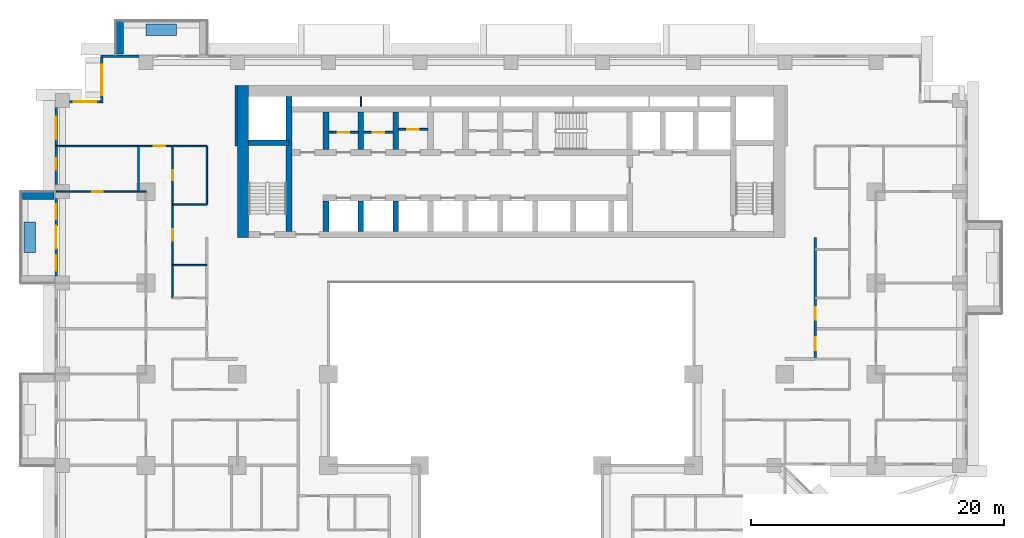
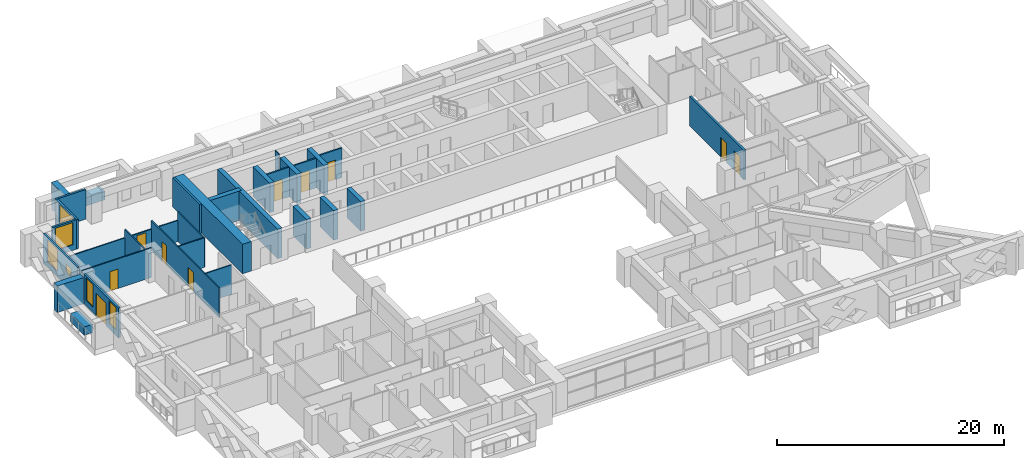
# One storey, part 9 of 17: 31 walls, 10 doors, 6 windows, 16 openings.
"""IFC4 building model written with IfcOpenShell, lengths in metres."""

from ifc_helpers import new_model, si_unit, direction, frame, frame_2d, origin, place, context, subcontext, project, spatial, rectangle, extrude, material, layer, layer_set, type_object, element, fill, save


model = new_model("IFC4")

# Units and contexts
model_context = context("Model", 3, precision=1e-05, world=origin(), true_north=direction((0.0, 1.0)))
body_context = subcontext(model_context, "Body", "Model", "MODEL_VIEW")
ifc_project = project(units=[si_unit("LENGTHUNIT", "METRE"), si_unit("AREAUNIT", "SQUARE_METRE"), si_unit("VOLUMEUNIT", "CUBIC_METRE"), si_unit("PLANEANGLEUNIT", "RADIAN"), si_unit("MASSUNIT", "GRAM", prefix="KILO")], contexts=[model_context])

# Site, building, storey
site_placement = place(None, origin())
site = spatial("IfcSite", under=ifc_project, at=site_placement, CompositionType="ELEMENT")
building_placement = place(site_placement, origin())
building = spatial("IfcBuilding", under=site, at=building_placement, Name="Saffron Iwan Residences", CompositionType="ELEMENT")
storey_placement = place(building_placement, frame((0.0, 0.0, 58.5)))
storey = spatial("IfcBuildingStorey", under=building, at=storey_placement, Name="L14", CompositionType="ELEMENT", Elevation=58.5)

# Walls
ifc_material_1 = material(Name="Concrete C50/60 white painted", Category="concrete")
ifc_layer_1 = layer(ifc_material_1, 0.60009765625)
ifc_layer_set_1 = layer_set([ifc_layer_1], Name="Concrete C50/60 white painted")
wall_type_1 = type_object("IfcWallType", Name="BALCONY FIN 600", PredefinedType="SOLIDWALL", material=ifc_layer_set_1)
for number, where, z_axis, x_axis, name in (
    (1, (19.5, 80.449951171875, 0.0), (0.0, 0.0, 1.0), (0.0, 1.0, 0.0), "Balcony fin L14 F5-3b"),
    (2, (14.35009765625, 69.300048828125, 0.0), (0.0, 0.0, 1.0), (-1.0, 0.0, 0.0), "Balcony fin L14 F8-0a"),
):
    element("IfcWall", number, at=place(storey_placement, frame(where, z_axis=z_axis, x_axis=x_axis)), inside=storey, type_object=wall_type_1, Name=name, PredefinedType="SOLIDWALL", context=body_context, shape_type="SweptSolid", body=[
        extrude(rectangle(XDim=2.650146484375, YDim=0.60009765625, at=frame_2d((1.3251953125, 0.0))), origin(), (0.0, 0.0, 1.0), 2.85009765625),
    ])
ifc_material_2 = material(Name="Concrete C35/45 white painted", Category="concrete")
ifc_layer_2 = layer(ifc_material_2, 0.14990234375)
ifc_layer_set_2 = layer_set([ifc_layer_2], Name="Concrete C35/45 white painted")
wall_type_2 = type_object("IfcWallType", Name="BALCONY PLANTER", PredefinedType="SOLIDWALL", material=ifc_layer_set_2)
for number, where, z_axis, x_axis, name in (
    (3, (24.0, 82.375, 0.0), (0.0, 0.0, 1.0), (-1.0, 0.0, 0.0), "PLANTER L14 F5-3"),
    (4, (12.425048828125, 67.199951171875, 0.0), (0.0, 0.0, 1.0), (0.0, -1.0, 0.0), "PLANTER L14 F8-0"),
):
    element("IfcWall", number, at=place(storey_placement, frame(where, z_axis=z_axis, x_axis=x_axis)), inside=storey, type_object=wall_type_2, Name=name, PredefinedType="SOLIDWALL", context=body_context, shape_type="SweptSolid", body=[
        extrude(rectangle(XDim=2.39990234375, YDim=0.89990234375, at=frame_2d((1.199951171875, 0.0))), origin(), (0.0, 0.0, 1.0), 0.89990234375),
    ])

# Wall, opening, door
ifc_material_3 = material(Name="Fire-rated plasterboard partition")
ifc_layer_3 = layer(ifc_material_3, 0.14990234375)
ifc_layer_set_3 = layer_set([ifc_layer_3], Name="Fire-rated plasterboard partition")
wall_type_3 = type_object("IfcWallType", Name="Core partition 150", PredefinedType="PARTITIONING", material=ifc_layer_set_3)
wall_1_placement = place(storey_placement, frame((36.02490234375, 74.281982421875, 0.0), z_axis=(0.0, 0.0, 1.0), x_axis=(1.0, 0.0, 0.0)))
wall_1 = element("IfcWall", 5, at=wall_1_placement, inside=storey, type_object=wall_type_3, Name="Core partition P01", PredefinedType="PARTITIONING", context=body_context, shape_type="SweptSolid", body=[
    extrude(rectangle(XDim=2.300048828125, YDim=0.14990234375, at=frame_2d((1.14990234375, 0.0))), origin(), (0.0, 0.0, 1.0), 3.179931640625),
])
opening_1_placement = place(wall_1_placement, frame((0.699951171875, 0.0, 0.0)))
opening_1 = element("IfcOpeningElement", 6, at=opening_1_placement, cuts=wall_1, Name="Opening SB", PredefinedType="OPENING", context=body_context, shape_type="SweptSolid", body=[
    extrude(rectangle(XDim=0.89990234375, YDim=2.10009765625, at=frame_2d((0.449951171875, 1.050048828125))), frame((0.0, 0.0849609375, 0.0), z_axis=(0.0, -1.0, 0.0), x_axis=(1.0, 0.0, 0.0)), (0.0, 0.0, 1.0), 0.169921875),
])
ifc_material_4 = material(Name="Steel fire door", Category="steel")
door_type_1 = type_object("IfcDoorType", Name="Store door 900", OperationType="NOTDEFINED", PredefinedType="DOOR", material=ifc_material_4)
door_1_placement = place(opening_1_placement, origin())
door_1 = element("IfcDoor", 7, at=door_1_placement, inside=storey, type_object=door_type_1, Name="Door Tool store", OperationType="SINGLE_SWING_LEFT", OverallHeight=2.10009765625, OverallWidth=0.89990234375, PredefinedType="DOOR", context=body_context, shape_type="SweptSolid", body=[
    extrude(rectangle(XDim=0.89990234375, YDim=2.10009765625, at=frame_2d((0.449951171875, 1.050048828125))), frame((0.0, 0.02490234375, 0.0), z_axis=(0.0, -1.0, 0.0), x_axis=(1.0, 0.0, 0.0)), (0.0, 0.0, 1.0), 0.050048828125),
])
fill(opening_1, door_1)

wall_2_placement = place(storey_placement, frame((38.77490234375, 74.281982421875, 0.0), z_axis=(0.0, 0.0, 1.0), x_axis=(1.0, 0.0, 0.0)))
wall_2 = element("IfcWall", 8, at=wall_2_placement, inside=storey, type_object=wall_type_3, Name="Core partition P02", PredefinedType="PARTITIONING", context=body_context, shape_type="SweptSolid", body=[
    extrude(rectangle(XDim=2.300048828125, YDim=0.14990234375, at=frame_2d((1.14990234375, 0.0))), origin(), (0.0, 0.0, 1.0), 3.179931640625),
])
opening_2_placement = place(wall_2_placement, frame((0.699951171875, 0.0, 0.0)))
opening_2 = element("IfcOpeningElement", 9, at=opening_2_placement, cuts=wall_2, Name="Opening SB", PredefinedType="OPENING", context=body_context, shape_type="SweptSolid", body=[
    extrude(rectangle(XDim=0.89990234375, YDim=2.10009765625, at=frame_2d((0.449951171875, 1.050048828125))), frame((0.0, 0.0849609375, 0.0), z_axis=(0.0, -1.0, 0.0), x_axis=(1.0, 0.0, 0.0)), (0.0, 0.0, 1.0), 0.169921875),
])
door_2_placement = place(opening_2_placement, origin())
door_2 = element("IfcDoor", 10, at=door_2_placement, inside=storey, type_object=door_type_1, Name="Door Cabling room", OperationType="SINGLE_SWING_RIGHT", OverallHeight=2.10009765625, OverallWidth=0.89990234375, PredefinedType="DOOR", context=body_context, shape_type="SweptSolid", body=[
    extrude(rectangle(XDim=0.89990234375, YDim=2.10009765625, at=frame_2d((0.449951171875, 1.050048828125))), frame((0.0, 0.02490234375, 0.0), z_axis=(0.0, -1.0, 0.0), x_axis=(1.0, 0.0, 0.0)), (0.0, 0.0, 1.0), 0.050048828125),
])
fill(opening_2, door_2)

wall_3_placement = place(storey_placement, frame((41.52490234375, 74.51806640625, 0.0), z_axis=(0.0, 0.0, 1.0), x_axis=(1.0, 0.0, 0.0)))
wall_3 = element("IfcWall", 11, at=wall_3_placement, inside=storey, type_object=wall_type_3, Name="Core partition P03", PredefinedType="PARTITIONING", context=body_context, shape_type="SweptSolid", body=[
    extrude(rectangle(XDim=2.300048828125, YDim=0.14990234375, at=frame_2d((1.14990234375, 0.0))), origin(), (0.0, 0.0, 1.0), 3.179931640625),
])
opening_3_placement = place(wall_3_placement, frame((0.699951171875, 0.0, 0.0)))
opening_3 = element("IfcOpeningElement", 12, at=opening_3_placement, cuts=wall_3, Name="Opening SB", PredefinedType="OPENING", context=body_context, shape_type="SweptSolid", body=[
    extrude(rectangle(XDim=0.89990234375, YDim=2.10009765625, at=frame_2d((0.449951171875, 1.050048828125))), frame((0.0, 0.0849609375, 0.0), z_axis=(0.0, -1.0, 0.0), x_axis=(1.0, 0.0, 0.0)), (0.0, 0.0, 1.0), 0.169921875),
])
door_3_placement = place(opening_3_placement, origin())
door_3 = element("IfcDoor", 13, at=door_3_placement, inside=storey, type_object=door_type_1, Name="Door Equipment store", OperationType="SINGLE_SWING_RIGHT", OverallHeight=2.10009765625, OverallWidth=0.89990234375, PredefinedType="DOOR", context=body_context, shape_type="SweptSolid", body=[
    extrude(rectangle(XDim=0.89990234375, YDim=2.10009765625, at=frame_2d((0.449951171875, 1.050048828125))), frame((0.0, 0.02490234375, 0.0), z_axis=(0.0, -1.0, 0.0), x_axis=(1.0, 0.0, 0.0)), (0.0, 0.0, 1.0), 0.050048828125),
])
fill(opening_3, door_3)

# Wall
ifc_material_5 = material(Name="Concrete C40/50", Category="concrete")
ifc_layer_4 = layer(ifc_material_5, 0.199951171875)
ifc_layer_set_4 = layer_set([ifc_layer_4], Name="Concrete C40/50")
wall_type_4 = type_object("IfcWallType", Name="EXTERNAL WALL 200", PredefinedType="SOLIDWALL", material=ifc_layer_set_4)
wall_4_placement = place(storey_placement, frame((21.050048828125, 80.300048828125, 0.0), z_axis=(0.0, 0.0, 1.0), x_axis=(-1.0, 0.0, 0.0)))
element("IfcWall", 14, at=wall_4_placement, inside=storey, type_object=wall_type_4, Name="External wall L14 F5.9", PredefinedType="SOLIDWALL", context=body_context, shape_type="SweptSolid", body=[
    extrude(rectangle(XDim=3.050048828125, YDim=0.199951171875, at=frame_2d((1.52490234375, 0.0))), origin(), (0.0, 0.0, 1.0), 3.179931640625),
])

# Wall, opening, window
wall_5_placement = place(storey_placement, frame((18.10009765625, 80.199951171875, 0.0), z_axis=(0.0, 0.0, 1.0), x_axis=(0.0, -1.0, 0.0)))
wall_5 = element("IfcWall", 15, at=wall_5_placement, inside=storey, type_object=wall_type_4, Name="External wall L14 F6.0", PredefinedType="SOLIDWALL", context=body_context, shape_type="SweptSolid", body=[
    extrude(rectangle(XDim=3.599853515625, YDim=0.199951171875, at=frame_2d((1.7998046875, 0.0))), origin(), (0.0, 0.0, 1.0), 3.179931640625),
])
opening_4_placement = place(wall_5_placement, frame((0.60009765625, 0.0, 0.60009765625)))
opening_4 = element("IfcOpeningElement", 16, at=opening_4_placement, cuts=wall_5, Name="Opening W1", PredefinedType="OPENING", context=body_context, shape_type="SweptSolid", body=[
    extrude(rectangle(XDim=2.39990234375, YDim=2.39990234375, at=frame_2d((1.199951171875, 1.199951171875))), frame((0.0, 0.10986328125, 0.0), z_axis=(0.0, -1.0, 0.0), x_axis=(1.0, 0.0, 0.0)), (0.0, 0.0, 1.0), 0.219970703125),
])
ifc_material_6 = material(Name="Clear glass, laminated double glazed", Category="glass")
window_type_1 = type_object("IfcWindowType", Name="WINDOW 2400 x 2400", PartitioningType="DOUBLE_PANEL_VERTICAL", PredefinedType="WINDOW", material=ifc_material_6)
window_1_placement = place(opening_4_placement, origin())
window_1 = element("IfcWindow", 17, at=window_1_placement, inside=storey, type_object=window_type_1, Name="Window L14 F6.0", OverallHeight=2.39990234375, OverallWidth=2.39990234375, PartitioningType="DOUBLE_PANEL_VERTICAL", PredefinedType="WINDOW", context=body_context, shape_type="SweptSolid", body=[
    extrude(rectangle(XDim=2.39990234375, YDim=2.39990234375, at=frame_2d((1.199951171875, 1.199951171875))), frame((0.0, 0.030029296875, 0.0), z_axis=(0.0, -1.0, 0.0), x_axis=(1.0, 0.0, 0.0)), (0.0, 0.0, 1.0), 0.06005859375),
])
fill(opening_4, window_1)

wall_6_placement = place(storey_placement, frame((18.0, 76.699951171875, 0.0), z_axis=(0.0, 0.0, 1.0), x_axis=(-1.0, 0.0, 0.0)))
wall_6 = element("IfcWall", 18, at=wall_6_placement, inside=storey, type_object=wall_type_4, Name="External wall L14 F7.0", PredefinedType="SOLIDWALL", context=body_context, shape_type="SweptSolid", body=[
    extrude(rectangle(XDim=2.449951171875, YDim=0.199951171875, at=frame_2d((1.22509765625, 0.0))), origin(), (0.0, 0.0, 1.0), 3.179931640625),
])
opening_5_placement = place(wall_6_placement, frame((0.324951171875, 0.0, 0.60009765625)))
opening_5 = element("IfcOpeningElement", 19, at=opening_5_placement, cuts=wall_6, Name="Opening W8", PredefinedType="OPENING", context=body_context, shape_type="SweptSolid", body=[
    extrude(rectangle(XDim=1.800048828125, YDim=2.39990234375, at=frame_2d((0.89990234375, 1.199951171875))), frame((0.0, 0.10986328125, 0.0), z_axis=(0.0, -1.0, 0.0), x_axis=(1.0, 0.0, 0.0)), (0.0, 0.0, 1.0), 0.219970703125),
])
window_type_2 = type_object("IfcWindowType", Name="WINDOW 1800 x 2400", PartitioningType="DOUBLE_PANEL_VERTICAL", PredefinedType="WINDOW", material=ifc_material_6)
window_2_placement = place(opening_5_placement, origin())
window_2 = element("IfcWindow", 20, at=window_2_placement, inside=storey, type_object=window_type_2, Name="Window L14 F7.0", OverallHeight=2.39990234375, OverallWidth=1.800048828125, PartitioningType="DOUBLE_PANEL_VERTICAL", PredefinedType="WINDOW", context=body_context, shape_type="SweptSolid", body=[
    extrude(rectangle(XDim=1.800048828125, YDim=2.39990234375, at=frame_2d((0.89990234375, 1.199951171875))), frame((0.0, 0.030029296875, 0.0), z_axis=(0.0, -1.0, 0.0), x_axis=(1.0, 0.0, 0.0)), (0.0, 0.0, 1.0), 0.06005859375),
])
fill(opening_5, window_2)

# Wall, openings, windows
wall_7_placement = place(storey_placement, frame((14.5, 76.25, 0.0), z_axis=(0.0, 0.0, 1.0), x_axis=(0.0, -1.0, 0.0)))
wall_7 = element("IfcWall", 21, at=wall_7_placement, inside=storey, type_object=wall_type_4, Name="External wall L14 F8.0", PredefinedType="SOLIDWALL", context=body_context, shape_type="SweptSolid", body=[
    extrude(rectangle(XDim=6.10009765625, YDim=0.199951171875, at=frame_2d((3.050048828125, 0.0))), origin(), (0.0, 0.0, 1.0), 3.179931640625),
])
opening_6_placement = place(wall_7_placement, frame((4.02490234375, 0.0, 1.5)))
opening_6 = element("IfcOpeningElement", 22, at=opening_6_placement, cuts=wall_7, Name="Opening W6", PredefinedType="OPENING", context=body_context, shape_type="SweptSolid", body=[
    extrude(rectangle(XDim=0.89990234375, YDim=0.89990234375, at=frame_2d((0.449951171875, 0.449951171875))), frame((0.0, 0.10986328125, 0.0), z_axis=(0.0, -1.0, 0.0), x_axis=(1.0, 0.0, 0.0)), (0.0, 0.0, 1.0), 0.219970703125),
])
opening_7_placement = place(wall_7_placement, frame((0.72509765625, 0.0, 0.60009765625)))
opening_7 = element("IfcOpeningElement", 23, at=opening_7_placement, cuts=wall_7, Name="Opening W8", PredefinedType="OPENING", context=body_context, shape_type="SweptSolid", body=[
    extrude(rectangle(XDim=1.800048828125, YDim=2.39990234375, at=frame_2d((0.89990234375, 1.199951171875))), frame((0.0, 0.10986328125, 0.0), z_axis=(0.0, -1.0, 0.0), x_axis=(1.0, 0.0, 0.0)), (0.0, 0.0, 1.0), 0.219970703125),
])
window_3_placement = place(opening_7_placement, origin())
window_3 = element("IfcWindow", 24, at=window_3_placement, inside=storey, type_object=window_type_2, Name="Window L14 F8.1", OverallHeight=2.39990234375, OverallWidth=1.800048828125, PartitioningType="DOUBLE_PANEL_VERTICAL", PredefinedType="WINDOW", context=body_context, shape_type="SweptSolid", body=[
    extrude(rectangle(XDim=1.800048828125, YDim=2.39990234375, at=frame_2d((0.89990234375, 1.199951171875))), frame((0.0, 0.030029296875, 0.0), z_axis=(0.0, -1.0, 0.0), x_axis=(1.0, 0.0, 0.0)), (0.0, 0.0, 1.0), 0.06005859375),
])
fill(opening_7, window_3)
window_type_3 = type_object("IfcWindowType", Name="WINDOW 900 x 900 BATH", PartitioningType="SINGLE_PANEL", PredefinedType="WINDOW", material=ifc_material_6)
window_4_placement = place(opening_6_placement, origin())
window_4 = element("IfcWindow", 25, at=window_4_placement, inside=storey, type_object=window_type_3, Name="Window L14 F8.0", OverallHeight=0.89990234375, OverallWidth=0.89990234375, PartitioningType="SINGLE_PANEL", PredefinedType="WINDOW", context=body_context, shape_type="SweptSolid", body=[
    extrude(rectangle(XDim=0.89990234375, YDim=0.89990234375, at=frame_2d((0.449951171875, 0.449951171875))), frame((0.0, 0.030029296875, 0.0), z_axis=(0.0, -1.0, 0.0), x_axis=(1.0, 0.0, 0.0)), (0.0, 0.0, 1.0), 0.06005859375),
])
fill(opening_6, window_4)

# Wall, openings, door, windows
wall_8_placement = place(storey_placement, frame((14.5, 69.050048828125, 0.0), z_axis=(0.0, 0.0, 1.0), x_axis=(0.0, -1.0, 0.0)))
wall_8 = element("IfcWall", 26, at=wall_8_placement, inside=storey, type_object=wall_type_4, Name="External wall L14 F8.1", PredefinedType="SOLIDWALL", context=body_context, shape_type="SweptSolid", body=[
    extrude(rectangle(XDim=6.10009765625, YDim=0.199951171875, at=frame_2d((3.050048828125, 0.0))), origin(), (0.0, 0.0, 1.0), 3.179931640625),
])
opening_8_placement = place(wall_8_placement, frame((2.14990234375, 0.0, 0.0)))
opening_8 = element("IfcOpeningElement", 27, at=opening_8_placement, cuts=wall_8, Name="Opening BD1", PredefinedType="OPENING", context=body_context, shape_type="SweptSolid", body=[
    extrude(rectangle(XDim=1.800048828125, YDim=2.39990234375, at=frame_2d((0.89990234375, 1.199951171875))), frame((0.0, 0.10986328125, 0.0), z_axis=(0.0, -1.0, 0.0), x_axis=(1.0, 0.0, 0.0)), (0.0, 0.0, 1.0), 0.219970703125),
])
opening_9_placement = place(wall_8_placement, frame((0.425048828125, 0.0, 0.60009765625)))
opening_9 = element("IfcOpeningElement", 28, at=opening_9_placement, cuts=wall_8, Name="Opening W3", PredefinedType="OPENING", context=body_context, shape_type="SweptSolid", body=[
    extrude(rectangle(XDim=1.199951171875, YDim=2.39990234375, at=frame_2d((0.60009765625, 1.199951171875))), frame((0.0, 0.10986328125, 0.0), z_axis=(0.0, -1.0, 0.0), x_axis=(1.0, 0.0, 0.0)), (0.0, 0.0, 1.0), 0.219970703125),
])
opening_10_placement = place(wall_8_placement, frame((4.47509765625, 0.0, 0.60009765625)))
opening_10 = element("IfcOpeningElement", 29, at=opening_10_placement, cuts=wall_8, Name="Opening W3", PredefinedType="OPENING", context=body_context, shape_type="SweptSolid", body=[
    extrude(rectangle(XDim=1.199951171875, YDim=2.39990234375, at=frame_2d((0.60009765625, 1.199951171875))), frame((0.0, 0.10986328125, 0.0), z_axis=(0.0, -1.0, 0.0), x_axis=(1.0, 0.0, 0.0)), (0.0, 0.0, 1.0), 0.219970703125),
])
door_type_2 = type_object("IfcDoorType", Name="BALCONY DOOR 1800 x 2400", OperationType="DOUBLE_DOOR_SLIDING", PredefinedType="DOOR", material=ifc_material_6)
door_4_placement = place(opening_8_placement, origin())
door_4 = element("IfcDoor", 30, at=door_4_placement, inside=storey, type_object=door_type_2, Name="Balcony door L14 F8.0", OperationType="DOUBLE_DOOR_SLIDING", OverallHeight=2.39990234375, OverallWidth=1.800048828125, PredefinedType="DOOR", context=body_context, shape_type="SweptSolid", body=[
    extrude(rectangle(XDim=1.800048828125, YDim=2.39990234375, at=frame_2d((0.89990234375, 1.199951171875))), frame((0.0, 0.02490234375, 0.0), z_axis=(0.0, -1.0, 0.0), x_axis=(1.0, 0.0, 0.0)), (0.0, 0.0, 1.0), 0.050048828125),
])
fill(opening_8, door_4)
window_type_4 = type_object("IfcWindowType", Name="WINDOW 1200 x 2400", PartitioningType="SINGLE_PANEL", PredefinedType="WINDOW", material=ifc_material_6)
window_5_placement = place(opening_9_placement, origin())
window_5 = element("IfcWindow", 31, at=window_5_placement, inside=storey, type_object=window_type_4, Name="Window L14 F8.1", OverallHeight=2.39990234375, OverallWidth=1.199951171875, PartitioningType="SINGLE_PANEL", PredefinedType="WINDOW", context=body_context, shape_type="SweptSolid", body=[
    extrude(rectangle(XDim=1.199951171875, YDim=2.39990234375, at=frame_2d((0.60009765625, 1.199951171875))), frame((0.0, 0.030029296875, 0.0), z_axis=(0.0, -1.0, 0.0), x_axis=(1.0, 0.0, 0.0)), (0.0, 0.0, 1.0), 0.06005859375),
])
fill(opening_9, window_5)
window_6_placement = place(opening_10_placement, origin())
window_6 = element("IfcWindow", 32, at=window_6_placement, inside=storey, type_object=window_type_4, Name="Window L14 F8.2", OverallHeight=2.39990234375, OverallWidth=1.199951171875, PartitioningType="SINGLE_PANEL", PredefinedType="WINDOW", context=body_context, shape_type="SweptSolid", body=[
    extrude(rectangle(XDim=1.199951171875, YDim=2.39990234375, at=frame_2d((0.60009765625, 1.199951171875))), frame((0.0, 0.030029296875, 0.0), z_axis=(0.0, -1.0, 0.0), x_axis=(1.0, 0.0, 0.0)), (0.0, 0.0, 1.0), 0.06005859375),
])
fill(opening_10, window_6)

# Walls
ifc_material_7 = material(Name="Gypsum board partition")
ifc_layer_5 = layer(ifc_material_7, 0.1201171875)
ifc_layer_set_5 = layer_set([ifc_layer_5], Name="Gypsum board partition")
wall_type_5 = type_object("IfcWallType", Name="Flat partition 120", PredefinedType="PARTITIONING", material=ifc_layer_set_5)
for number, where, z_axis, x_axis, name in (
    (33, (23.699951171875, 63.800048828125, 0.0), (0.0, 0.0, 1.0), (1.0, 0.0, 0.0), "W-L14-PART-h63.8-23.7"),
    (34, (23.699951171875, 68.60009765625, 0.0), (0.0, 0.0, 1.0), (1.0, 0.0, 0.0), "W-L14-PART-h68.6-23.7"),
):
    element("IfcWall", number, at=place(storey_placement, frame(where, z_axis=z_axis, x_axis=x_axis)), inside=storey, type_object=wall_type_5, Name=name, PredefinedType="PARTITIONING", context=body_context, shape_type="SweptSolid", body=[
        extrude(rectangle(XDim=2.699951171875, YDim=0.1201171875, at=frame_2d((1.35009765625, 0.0))), origin(), (0.0, 0.0, 1.0), 3.179931640625),
    ])

# Wall, opening, door
wall_9_placement = place(storey_placement, frame((14.52490234375, 69.60009765625, 0.0), z_axis=(0.0, 0.0, 1.0), x_axis=(1.0, 0.0, 0.0)))
wall_9 = element("IfcWall", 35, at=wall_9_placement, inside=storey, type_object=wall_type_5, Name="W-L14-PART-h69.6-14.525", PredefinedType="PARTITIONING", context=body_context, shape_type="SweptSolid", body=[
    extrude(rectangle(XDim=7.0751953125, YDim=0.1201171875, at=frame_2d((3.53759765625, 0.0))), origin(), (0.0, 0.0, 1.0), 3.179931640625),
])
opening_11_placement = place(wall_9_placement, frame((2.83740234375, 0.0, 0.0)))
opening_11 = element("IfcOpeningElement", 36, at=opening_11_placement, cuts=wall_9, Name="Opening FD3", PredefinedType="OPENING", context=body_context, shape_type="SweptSolid", body=[
    extrude(rectangle(XDim=0.800048828125, YDim=2.10009765625, at=frame_2d((0.39990234375, 1.050048828125))), frame((0.0, 0.070068359375, 0.0), z_axis=(0.0, -1.0, 0.0), x_axis=(1.0, 0.0, 0.0)), (0.0, 0.0, 1.0), 0.14013671875),
])
ifc_material_8 = material(Name="Timber door", Category="wood")
door_type_3 = type_object("IfcDoorType", Name="Bathroom door 800", OperationType="NOTDEFINED", PredefinedType="DOOR", material=ifc_material_8)
door_5_placement = place(opening_11_placement, origin())
door_5 = element("IfcDoor", 37, at=door_5_placement, inside=storey, type_object=door_type_3, Name="Door L14-031", OperationType="SINGLE_SWING_LEFT", OverallHeight=2.10009765625, OverallWidth=0.800048828125, PredefinedType="DOOR", context=body_context, shape_type="SweptSolid", body=[
    extrude(rectangle(XDim=0.800048828125, YDim=2.10009765625, at=frame_2d((0.39990234375, 1.050048828125))), frame((0.0, 0.02490234375, 0.0), z_axis=(0.0, -1.0, 0.0), x_axis=(1.0, 0.0, 0.0)), (0.0, 0.0, 1.0), 0.050048828125),
])
fill(opening_11, door_5)

wall_10_placement = place(storey_placement, frame((14.52490234375, 73.199951171875, 0.0), z_axis=(0.0, 0.0, 1.0), x_axis=(1.0, 0.0, 0.0)))
wall_10 = element("IfcWall", 38, at=wall_10_placement, inside=storey, type_object=wall_type_5, Name="W-L14-PART-h73.2-14.525", PredefinedType="PARTITIONING", context=body_context, shape_type="SweptSolid", body=[
    extrude(rectangle(XDim=11.875, YDim=0.1201171875, at=frame_2d((5.9375, 0.0))), origin(), (0.0, 0.0, 1.0), 2.280029296875),
])
opening_12_placement = place(wall_10_placement, frame((7.675048828125, 0.0, 0.0)))
opening_12 = element("IfcOpeningElement", 39, at=opening_12_placement, cuts=wall_10, Name="Opening FD2", PredefinedType="OPENING", context=body_context, shape_type="SweptSolid", body=[
    extrude(rectangle(XDim=0.89990234375, YDim=2.10009765625, at=frame_2d((0.449951171875, 1.050048828125))), frame((0.0, 0.070068359375, 0.0), z_axis=(0.0, -1.0, 0.0), x_axis=(1.0, 0.0, 0.0)), (0.0, 0.0, 1.0), 0.14013671875),
])
door_type_4 = type_object("IfcDoorType", Name="Flat door 900", OperationType="NOTDEFINED", PredefinedType="DOOR", material=ifc_material_8)
door_6_placement = place(opening_12_placement, origin())
door_6 = element("IfcDoor", 40, at=door_6_placement, inside=storey, type_object=door_type_4, Name="Door L14-032", OperationType="SINGLE_SWING_RIGHT", OverallHeight=2.10009765625, OverallWidth=0.89990234375, PredefinedType="DOOR", context=body_context, shape_type="SweptSolid", body=[
    extrude(rectangle(XDim=0.89990234375, YDim=2.10009765625, at=frame_2d((0.449951171875, 1.050048828125))), frame((0.0, 0.02490234375, 0.0), z_axis=(0.0, -1.0, 0.0), x_axis=(1.0, 0.0, 0.0)), (0.0, 0.0, 1.0), 0.050048828125),
])
fill(opening_12, door_6)

# Wall
wall_11_placement = place(storey_placement, frame((21.0, 69.60009765625, 0.0), z_axis=(0.0, 0.0, 1.0), x_axis=(0.0, 1.0, 0.0)))
element("IfcWall", 41, at=wall_11_placement, inside=storey, type_object=wall_type_5, Name="W-L14-PART-v21-69.6", PredefinedType="PARTITIONING", context=body_context, shape_type="SweptSolid", body=[
    extrude(rectangle(XDim=3.599853515625, YDim=0.1201171875, at=frame_2d((1.7998046875, 0.0))), origin(), (0.0, 0.0, 1.0), 3.179931640625),
])

# Wall, openings, doors
wall_12_placement = place(storey_placement, frame((23.699951171875, 61.199951171875, 0.0), z_axis=(0.0, 0.0, 1.0), x_axis=(0.0, 1.0, 0.0)))
wall_12 = element("IfcWall", 42, at=wall_12_placement, inside=storey, type_object=wall_type_5, Name="W-L14-PART-v23.7-61.2", PredefinedType="PARTITIONING", context=body_context, shape_type="SweptSolid", body=[
    extrude(rectangle(XDim=12.0, YDim=0.1201171875, at=frame_2d((6.0, 0.0))), origin(), (0.0, 0.0, 1.0), 3.179931640625),
])
opening_13_placement = place(wall_12_placement, frame((4.550048828125, 0.0, 0.0)))
opening_13 = element("IfcOpeningElement", 43, at=opening_13_placement, cuts=wall_12, Name="Opening FD2", PredefinedType="OPENING", context=body_context, shape_type="SweptSolid", body=[
    extrude(rectangle(XDim=0.89990234375, YDim=2.10009765625, at=frame_2d((0.449951171875, 1.050048828125))), frame((0.0, 0.070068359375, 0.0), z_axis=(0.0, -1.0, 0.0), x_axis=(1.0, 0.0, 0.0)), (0.0, 0.0, 1.0), 0.14013671875),
])
opening_14_placement = place(wall_12_placement, frame((9.300048828125, 0.0, 0.0)))
opening_14 = element("IfcOpeningElement", 44, at=opening_14_placement, cuts=wall_12, Name="Opening FD3", PredefinedType="OPENING", context=body_context, shape_type="SweptSolid", body=[
    extrude(rectangle(XDim=0.800048828125, YDim=2.10009765625, at=frame_2d((0.39990234375, 1.050048828125))), frame((0.0, 0.070068359375, 0.0), z_axis=(0.0, -1.0, 0.0), x_axis=(1.0, 0.0, 0.0)), (0.0, 0.0, 1.0), 0.14013671875),
])
door_7_placement = place(opening_14_placement, origin())
door_7 = element("IfcDoor", 45, at=door_7_placement, inside=storey, type_object=door_type_3, Name="Door L14-035", OperationType="SINGLE_SWING_RIGHT", OverallHeight=2.10009765625, OverallWidth=0.800048828125, PredefinedType="DOOR", context=body_context, shape_type="SweptSolid", body=[
    extrude(rectangle(XDim=0.800048828125, YDim=2.10009765625, at=frame_2d((0.39990234375, 1.050048828125))), frame((0.0, 0.02490234375, 0.0), z_axis=(0.0, -1.0, 0.0), x_axis=(1.0, 0.0, 0.0)), (0.0, 0.0, 1.0), 0.050048828125),
])
fill(opening_14, door_7)
door_8_placement = place(opening_13_placement, origin())
door_8 = element("IfcDoor", 46, at=door_8_placement, inside=storey, type_object=door_type_4, Name="Door L14-034", OperationType="SINGLE_SWING_LEFT", OverallHeight=2.10009765625, OverallWidth=0.89990234375, PredefinedType="DOOR", context=body_context, shape_type="SweptSolid", body=[
    extrude(rectangle(XDim=0.89990234375, YDim=2.10009765625, at=frame_2d((0.449951171875, 1.050048828125))), frame((0.0, 0.02490234375, 0.0), z_axis=(0.0, -1.0, 0.0), x_axis=(1.0, 0.0, 0.0)), (0.0, 0.0, 1.0), 0.050048828125),
])
fill(opening_13, door_8)

# Walls
wall_13_placement = place(storey_placement, frame((26.39990234375, 68.60009765625, 0.0), z_axis=(0.0, 0.0, 1.0), x_axis=(0.0, 1.0, 0.0)))
element("IfcWall", 47, at=wall_13_placement, inside=storey, type_object=wall_type_5, Name="W-L14-PART-v26.4-68.6", PredefinedType="PARTITIONING", context=body_context, shape_type="SweptSolid", body=[
    extrude(rectangle(XDim=4.599853515625, YDim=0.1201171875, at=frame_2d((2.2998046875, 0.0))), origin(), (0.0, 0.0, 1.0), 3.179931640625),
])
ifc_material_9 = material(Name="Fire-rated gypsum board wall")
ifc_layer_6 = layer(ifc_material_9, 0.199951171875)
ifc_layer_set_6 = layer_set([ifc_layer_6], Name="Fire-rated gypsum board wall")
wall_type_6 = type_object("IfcWallType", Name="Gallery wall 200", PredefinedType="SOLIDWALL", material=ifc_layer_set_6)
wall_14_placement = place(storey_placement, frame((28.699951171875, 73.199951171875, 0.0), z_axis=(0.0, 0.0, 1.0), x_axis=(0.0, 1.0, 0.0)))
element("IfcWall", 48, at=wall_14_placement, inside=storey, type_object=wall_type_6, Name="W-L14-CORR-v28.8-73.2", PredefinedType="SOLIDWALL", context=body_context, shape_type="SweptSolid", body=[
    extrude(rectangle(XDim=4.800048828125, YDim=0.199951171875, at=frame_2d((2.39990234375, 0.0))), origin(), (0.0, 0.0, 1.0), 3.179931640625),
])

# Wall, openings, doors
wall_15_placement = place(storey_placement, frame((74.39990234375, 56.39990234375, 0.0), z_axis=(0.0, 0.0, 1.0), x_axis=(0.0, 1.0, 0.0)))
wall_15 = element("IfcWall", 49, at=wall_15_placement, inside=storey, type_object=wall_type_6, Name="W-L14-CORR-v74.4-56.4", PredefinedType="SOLIDWALL", context=body_context, shape_type="SweptSolid", body=[
    extrude(rectangle(XDim=9.60009765625, YDim=0.199951171875, at=frame_2d((4.800048828125, 0.0))), origin(), (0.0, 0.0, 1.0), 3.179931640625),
])
opening_15_placement = place(wall_15_placement, frame((0.699951171875, 0.0, 0.0)))
opening_15 = element("IfcOpeningElement", 50, at=opening_15_placement, cuts=wall_15, Name="Opening FD1", PredefinedType="OPENING", context=body_context, shape_type="SweptSolid", body=[
    extrude(rectangle(XDim=1.0, YDim=2.10009765625, at=frame_2d((0.5, 1.050048828125))), frame((0.0, 0.10986328125, 0.0), z_axis=(0.0, -1.0, 0.0), x_axis=(1.0, 0.0, 0.0)), (0.0, 0.0, 1.0), 0.219970703125),
])
opening_16_placement = place(wall_15_placement, frame((3.10009765625, 0.0, 0.0)))
opening_16 = element("IfcOpeningElement", 51, at=opening_16_placement, cuts=wall_15, Name="Opening FD1", PredefinedType="OPENING", context=body_context, shape_type="SweptSolid", body=[
    extrude(rectangle(XDim=1.0, YDim=2.10009765625, at=frame_2d((0.5, 1.050048828125))), frame((0.0, 0.10986328125, 0.0), z_axis=(0.0, -1.0, 0.0), x_axis=(1.0, 0.0, 0.0)), (0.0, 0.0, 1.0), 0.219970703125),
])
ifc_material_10 = material(Name="Fire-rated timber door", Category="wood")
door_type_5 = type_object("IfcDoorType", Name="FD30S flat entrance door 1000", OperationType="NOTDEFINED", PredefinedType="DOOR", material=ifc_material_10)
door_9_placement = place(opening_15_placement, origin())
door_9 = element("IfcDoor", 52, at=door_9_placement, inside=storey, type_object=door_type_5, Name="Door L14-021", OperationType="SINGLE_SWING_LEFT", OverallHeight=2.10009765625, OverallWidth=1.0, PredefinedType="DOOR", context=body_context, shape_type="SweptSolid", body=[
    extrude(rectangle(XDim=1.0, YDim=2.10009765625, at=frame_2d((0.5, 1.050048828125))), frame((0.0, 0.02490234375, 0.0), z_axis=(0.0, -1.0, 0.0), x_axis=(1.0, 0.0, 0.0)), (0.0, 0.0, 1.0), 0.050048828125),
])
fill(opening_15, door_9)
door_10_placement = place(opening_16_placement, origin())
door_10 = element("IfcDoor", 53, at=door_10_placement, inside=storey, type_object=door_type_5, Name="Door L14-036", OperationType="SINGLE_SWING_LEFT", OverallHeight=2.10009765625, OverallWidth=1.0, PredefinedType="DOOR", context=body_context, shape_type="SweptSolid", body=[
    extrude(rectangle(XDim=1.0, YDim=2.10009765625, at=frame_2d((0.5, 1.050048828125))), frame((0.0, 0.02490234375, 0.0), z_axis=(0.0, -1.0, 0.0), x_axis=(1.0, 0.0, 0.0)), (0.0, 0.0, 1.0), 0.050048828125),
])
fill(opening_16, door_10)

# Walls
ifc_layer_7 = layer(ifc_material_3, 0.10009765625)
ifc_layer_set_7 = layer_set([ifc_layer_7], Name="Fire-rated plasterboard partition")
wall_type_7 = type_object("IfcWallType", Name="Riser partition 100", PredefinedType="PARTITIONING", material=ifc_layer_set_7)
wall_16_placement = place(storey_placement, frame((38.550048828125, 76.324951171875, 0.0), z_axis=(0.0, 0.0, 1.0), x_axis=(0.0, 1.0, 0.0)))
element("IfcWall", 54, at=wall_16_placement, inside=storey, type_object=wall_type_7, Name="Core partition P06", PredefinedType="PARTITIONING", context=body_context, shape_type="SweptSolid", body=[
    extrude(rectangle(XDim=0.775146484375, YDim=0.10009765625, at=frame_2d((0.3876953125, 0.0))), origin(), (0.0, 0.0, 1.0), 3.179931640625),
])
ifc_material_11 = material(Name="Concrete C60/75", Category="concrete")
ifc_layer_8 = layer(ifc_material_11, 0.449951171875)
ifc_layer_set_8 = layer_set([ifc_layer_8], Name="Concrete C60/75")
wall_type_8 = type_object("IfcWallType", Name="WALL CORE 450 C60/75 3180 HIGH", PredefinedType="SHEAR", material=ifc_layer_set_8)
wall_17_placement = place(storey_placement, frame((29.699951171875, 73.47509765625, 0.0), z_axis=(0.0, 0.0, 1.0), x_axis=(1.0, 0.0, 0.0)))
element("IfcWall", 55, at=wall_17_placement, inside=storey, type_object=wall_type_8, Name="Core wall", PredefinedType="SHEAR", context=body_context, shape_type="SweptSolid", body=[
    extrude(rectangle(XDim=3.175048828125, YDim=0.449951171875, at=frame_2d((1.58740234375, 0.0))), origin(), (0.0, 0.0, 1.0), 3.179931640625),
])
wall_18_placement = place(storey_placement, frame((32.875, 66.449951171875, 0.0), z_axis=(0.0, 0.0, 1.0), x_axis=(0.0, 1.0, 0.0)))
element("IfcWall", 56, at=wall_18_placement, inside=storey, type_object=wall_type_8, Name="Core wall", PredefinedType="SHEAR", context=body_context, shape_type="SweptSolid", body=[
    extrude(rectangle(XDim=10.650146484375, YDim=0.449951171875, at=frame_2d((5.3251953125, 0.0))), origin(), (0.0, 0.0, 1.0), 3.179931640625),
])
for number, where, z_axis, x_axis, name in (
    (57, (35.800048828125, 66.449951171875, 0.0), (0.0, 0.0, 1.0), (0.0, 1.0, 0.0), "Core wall"),
    (58, (38.550048828125, 66.449951171875, 0.0), (0.0, 0.0, 1.0), (0.0, 1.0, 0.0), "Core wall"),
    (59, (41.300048828125, 66.449951171875, 0.0), (0.0, 0.0, 1.0), (0.0, 1.0, 0.0), "Core wall"),
):
    element("IfcWall", number, at=place(storey_placement, frame(where, z_axis=z_axis, x_axis=x_axis)), inside=storey, type_object=wall_type_8, Name=name, PredefinedType="SHEAR", context=body_context, shape_type="SweptSolid", body=[
        extrude(rectangle(XDim=2.425048828125, YDim=0.449951171875, at=frame_2d((1.21240234375, 0.0))), origin(), (0.0, 0.0, 1.0), 3.179931640625),
    ])
for number, where, z_axis, x_axis, name in (
    (60, (35.800048828125, 72.925048828125, 0.0), (0.0, 0.0, 1.0), (0.0, 1.0, 0.0), "Core wall"),
    (61, (38.550048828125, 72.925048828125, 0.0), (0.0, 0.0, 1.0), (0.0, 1.0, 0.0), "Core wall"),
    (62, (41.300048828125, 72.925048828125, 0.0), (0.0, 0.0, 1.0), (0.0, 1.0, 0.0), "Core wall"),
):
    element("IfcWall", number, at=place(storey_placement, frame(where, z_axis=z_axis, x_axis=x_axis)), inside=storey, type_object=wall_type_8, Name=name, PredefinedType="SHEAR", context=body_context, shape_type="SweptSolid", body=[
        extrude(rectangle(XDim=2.949951171875, YDim=0.449951171875, at=frame_2d((1.47509765625, 0.0))), origin(), (0.0, 0.0, 1.0), 3.179931640625),
    ])
ifc_layer_9 = layer(ifc_material_11, 0.89990234375)
ifc_layer_set_9 = layer_set([ifc_layer_9], Name="Concrete C60/75")
wall_type_9 = type_object("IfcWallType", Name="WALL CORE 900 C60/75 3180 HIGH", PredefinedType="SHEAR", material=ifc_layer_set_9)
wall_19_placement = place(storey_placement, frame((29.25, 66.0, 0.0), z_axis=(0.0, 0.0, 1.0), x_axis=(0.0, 1.0, 0.0)))
element("IfcWall", 63, at=wall_19_placement, inside=storey, type_object=wall_type_9, Name="Core wall", PredefinedType="SHEAR", context=body_context, shape_type="SweptSolid", body=[
    extrude(rectangle(XDim=12.0, YDim=0.89990234375, at=frame_2d((6.0, 0.0))), origin(), (0.0, 0.0, 1.0), 3.179931640625),
])

save(model, "model.ifc")
